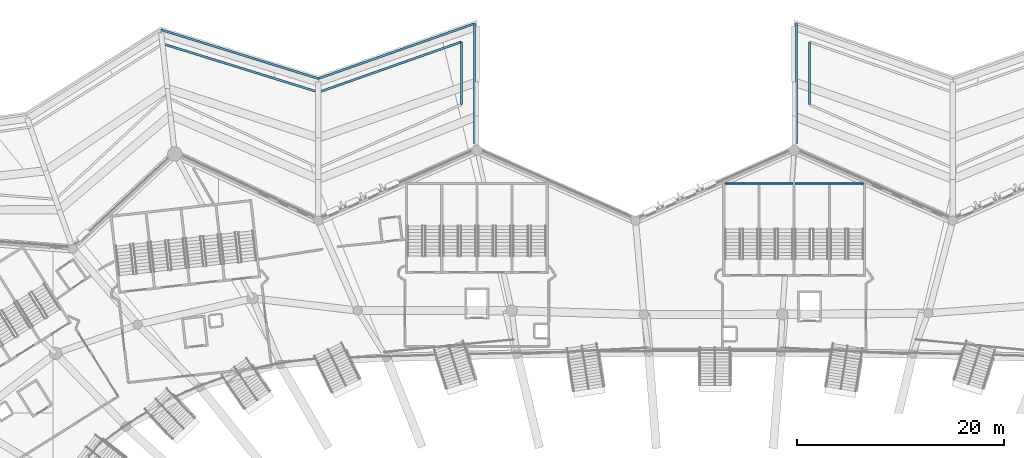
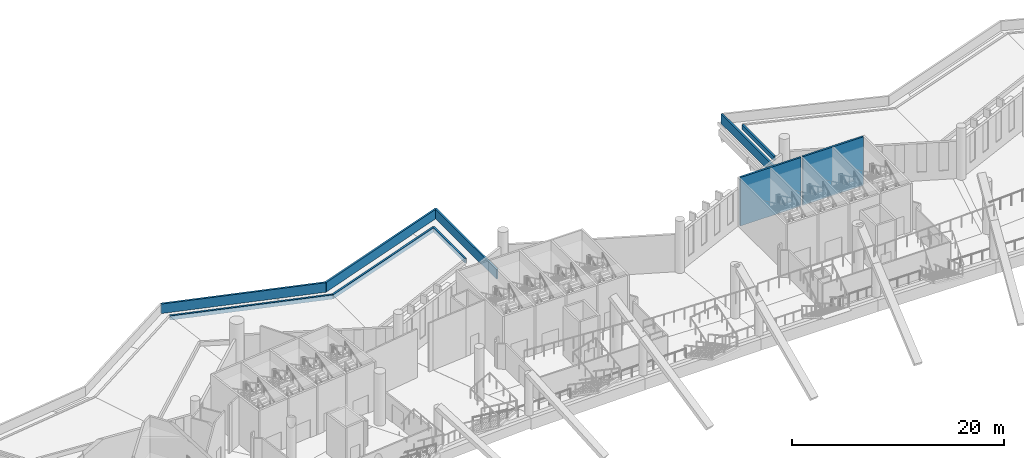
# One storey, part 69 of 173: 10 walls.
"""IFC4 building model written with IfcOpenShell, lengths in metres."""

from ifc_helpers import new_model, si_unit, direction, frame, frame_2d, origin, place, context, subcontext, project, spatial, rectangle, extrude, material, layer, layer_set, type_object, element, save


model = new_model("IFC4")

# Units and contexts
model_context = context("Model", 3, precision=1e-05, world=origin(), true_north=direction((0.0, 1.0)))
body_context = subcontext(model_context, "Body", "Model", "MODEL_VIEW")
ifc_project = project(units=[si_unit("LENGTHUNIT", "METRE"), si_unit("AREAUNIT", "SQUARE_METRE"), si_unit("VOLUMEUNIT", "CUBIC_METRE"), si_unit("PLANEANGLEUNIT", "RADIAN"), si_unit("MASSUNIT", "GRAM", prefix="KILO")], contexts=[model_context])

# Site, building, storey
site_placement = place(None, origin())
site = spatial("IfcSite", under=ifc_project, at=site_placement, CompositionType="ELEMENT")
building_placement = place(site_placement, origin())
building = spatial("IfcBuilding", under=site, at=building_placement, Name="Meseta Stadium", CompositionType="ELEMENT")
storey_placement = place(building_placement, frame((0.0, 0.0, 18.0)))
storey = spatial("IfcBuildingStorey", under=building, at=storey_placement, Name="L03", CompositionType="ELEMENT", Elevation=18.0)

# Walls
ifc_material_1 = material(Name="Concrete C40/50", Category="concrete")
ifc_layer_1 = layer(ifc_material_1, 0.199951171875)
ifc_layer_set_1 = layer_set([ifc_layer_1], Name="Core shaft wall 200")
wall_type_1 = type_object("IfcWallType", Name="Core shaft wall 200", PredefinedType="SHEAR", material=ifc_layer_set_1)
wall_1_placement = place(storey_placement, frame((14.36669921875, 102.199951171875, 0.0), z_axis=(0.0, 0.0, 1.0), x_axis=(-1.0, 0.0, 0.0)))
element("IfcWall", 1, at=wall_1_placement, inside=storey, type_object=wall_type_1, Name="Core 10 L03 stair A outer end wall", PredefinedType="SHEAR", context=body_context, shape_type="SweptSolid", body=[
    extrude(rectangle(XDim=6.60009765625, YDim=0.199951171875, at=frame_2d((3.300048828125, 0.0))), origin(), (0.0, 0.0, 1.0), 5.60009765625),
])
wall_2_placement = place(storey_placement, frame((7.566650390625, 102.199951171875, 0.0), z_axis=(0.0, 0.0, 1.0), x_axis=(-1.0, 0.0, 0.0)))
element("IfcWall", 2, at=wall_2_placement, inside=storey, type_object=wall_type_1, Name="Core 10 L03 stair B outer end wall", PredefinedType="SHEAR", context=body_context, shape_type="SweptSolid", body=[
    extrude(rectangle(XDim=6.599853515625, YDim=0.199951171875, at=frame_2d((3.2998046875, 0.0))), origin(), (0.0, 0.0, 1.0), 5.60009765625),
])
ifc_material_2 = material(Name="Precast concrete C40/50", Category="concrete")
ifc_layer_2 = layer(ifc_material_2, 0.199951171875)
ifc_layer_set_2 = layer_set([ifc_layer_2], Name="Planter kerb 200")
wall_type_2 = type_object("IfcWallType", Name="Planter kerb 200", PredefinedType="USERDEFINED", material=ifc_layer_set_2)
wall_3_placement = place(storey_placement, frame((9.166748046875, 109.821533203125, 0.0), z_axis=(0.0, 0.0, 1.0), x_axis=(0.0, 1.0, 0.0)))
element("IfcWall", 3, at=wall_3_placement, inside=storey, type_object=wall_type_2, Name="Planter kerb 2.1.7", ObjectType="PLANTER", PredefinedType="USERDEFINED", context=body_context, shape_type="SweptSolid", body=[
    extrude(rectangle(XDim=6.059814453125, YDim=0.199951171875, at=frame_2d((3.02978515625, 0.0))), origin(), (0.0, 0.0, 1.0), 0.5),
])
wall_4_placement = place(storey_placement, frame((-38.3037109375, 111.020263671875, 0.0), z_axis=(0.0, 0.0, 1.0), x_axis=(0.943222015463, 0.332162956312, 0.0)))
element("IfcWall", 4, at=wall_4_placement, inside=storey, type_object=wall_type_2, Name="Planter kerb 3.1.1", ObjectType="PLANTER", PredefinedType="USERDEFINED", context=body_context, shape_type="SweptSolid", body=[
    extrude(rectangle(XDim=14.634521484375, YDim=0.199951171875, at=frame_2d((7.3173828125, 0.0))), origin(), (0.0, 0.0, 1.0), 0.5),
])
wall_5_placement = place(storey_placement, frame((-24.5, 115.88134765625, 0.0), z_axis=(0.0, 0.0, 1.0), x_axis=(0.0, -1.0, 0.0)))
element("IfcWall", 5, at=wall_5_placement, inside=storey, type_object=wall_type_2, Name="Planter kerb 3.1.2", ObjectType="PLANTER", PredefinedType="USERDEFINED", context=body_context, shape_type="SweptSolid", body=[
    extrude(rectangle(XDim=6.059814453125, YDim=0.199951171875, at=frame_2d((3.02978515625, 0.0))), origin(), (0.0, 0.0, 1.0), 0.5),
])
wall_6_placement = place(storey_placement, frame((-53.37158203125, 115.697265625, 0.0), z_axis=(0.0, 0.0, 1.0), x_axis=(0.955050390066, -0.296443506311, 0.0)))
element("IfcWall", 6, at=wall_6_placement, inside=storey, type_object=wall_type_2, Name="Planter kerb 3.1.10", ObjectType="PLANTER", PredefinedType="USERDEFINED", context=body_context, shape_type="SweptSolid", body=[
    extrude(rectangle(XDim=15.777099609375, YDim=0.199951171875, at=frame_2d((7.888671875, 0.0))), origin(), (0.0, 0.0, 1.0), 0.5),
])
ifc_material_3 = material(Name="Concrete C40/50", Category="concrete")
ifc_layer_3 = layer(ifc_material_3, 0.199951171875)
ifc_layer_set_3 = layer_set([ifc_layer_3], Name="Roof parapet 200")
wall_type_3 = type_object("IfcWallType", Name="Roof parapet 200", PredefinedType="PARAPET", material=ifc_layer_set_3)
wall_7_placement = place(storey_placement, frame((7.916748046875, 106.054931640625, 0.0), z_axis=(0.0, 0.0, 1.0), x_axis=(0.0, 1.0, 0.0)))
element("IfcWall", 7, at=wall_7_placement, inside=storey, type_object=wall_type_3, Name="Roof parapet 2.11.1", PredefinedType="PARAPET", context=body_context, shape_type="SweptSolid", body=[
    extrude(rectangle(XDim=11.592041015625, YDim=0.199951171875, at=frame_2d((5.7958984375, 0.0))), origin(), (0.0, 0.0, 1.0), 1.10009765625),
])
wall_8_placement = place(storey_placement, frame((-38.328369140625, 112.336669921875, 0.0), z_axis=(0.0, 0.0, 1.0), x_axis=(0.943215391652, 0.33218176493, 0.0)))
element("IfcWall", 8, at=wall_8_placement, inside=storey, type_object=wall_type_3, Name="Roof parapet 3.15.1", PredefinedType="PARAPET", context=body_context, shape_type="SweptSolid", body=[
    extrude(rectangle(XDim=15.986083984375, YDim=0.199951171875, at=frame_2d((7.9931640625, 0.0))), origin(), (0.0, 0.0, 1.0), 1.10009765625),
])
wall_9_placement = place(storey_placement, frame((-23.25, 117.64697265625, 0.0), z_axis=(0.0, 0.0, 1.0), x_axis=(0.0, -1.0, 0.0)))
element("IfcWall", 9, at=wall_9_placement, inside=storey, type_object=wall_type_3, Name="Roof parapet 3.16.1", PredefinedType="PARAPET", context=body_context, shape_type="SweptSolid", body=[
    extrude(rectangle(XDim=11.592041015625, YDim=0.199951171875, at=frame_2d((5.7958984375, 0.0))), origin(), (0.0, 0.0, 1.0), 1.10009765625),
])
wall_10_placement = place(storey_placement, frame((-53.55078125, 117.061767578125, 0.0), z_axis=(0.0, 0.0, 1.0), x_axis=(0.955048136996, -0.296450764918, 0.0)))
element("IfcWall", 10, at=wall_10_placement, inside=storey, type_object=wall_type_3, Name="Roof parapet 3.20.1", PredefinedType="PARAPET", context=body_context, shape_type="SweptSolid", body=[
    extrude(rectangle(XDim=15.93896484375, YDim=0.199951171875, at=frame_2d((7.969482421875, 0.0))), origin(), (0.0, 0.0, 1.0), 1.10009765625),
])

save(model, "model.ifc")
